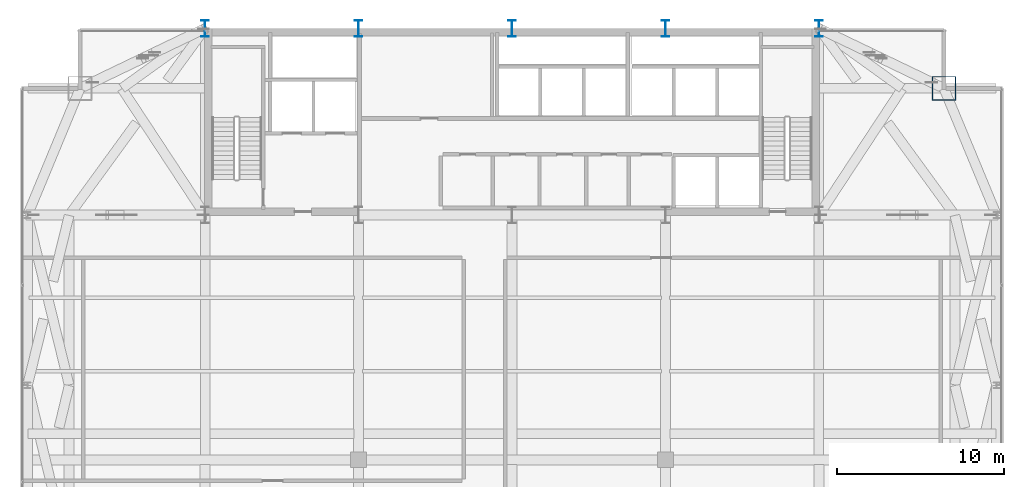
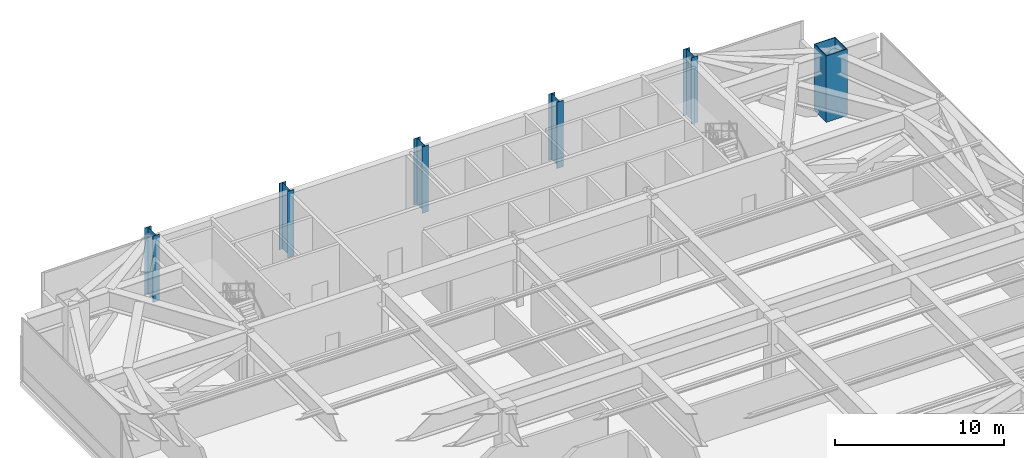
# One storey, part 3 of 32: 6 columns.
"""IFC4 building model written with IfcOpenShell, lengths in metres."""

from ifc_helpers import new_model, si_unit, direction, frame, origin, origin_2d, place, context, subcontext, project, spatial, hollow_rectangle, i_section, extrude, source, transform, mapped, material, material_profile, profile_set, type_object, type_shapes, element, save


model = new_model("IFC4")

# Units and contexts
model_context = context("Model", 3, precision=1e-05, world=origin(), true_north=direction((0.0, 1.0)))
body_context = subcontext(model_context, "Body", "Model", "MODEL_VIEW")
ifc_project = project(units=[si_unit("LENGTHUNIT", "METRE"), si_unit("AREAUNIT", "SQUARE_METRE"), si_unit("VOLUMEUNIT", "CUBIC_METRE"), si_unit("PLANEANGLEUNIT", "RADIAN"), si_unit("MASSUNIT", "GRAM", prefix="KILO")], contexts=[model_context])

# Site, building, storey
site_placement = place(None, origin())
site = spatial("IfcSite", under=ifc_project, at=site_placement, CompositionType="ELEMENT")
building_placement = place(site_placement, origin())
building = spatial("IfcBuilding", under=site, at=building_placement, Name="Varnel Quay Broadcast Tower", CompositionType="ELEMENT")
storey_placement = place(building_placement, frame((0.0, 0.0, 141.0)))
storey = spatial("IfcBuildingStorey", under=building, at=storey_placement, Name="L34", CompositionType="ELEMENT", Elevation=141.0)

# Columns
ifc_material = material(Name="Structural Steel CSA G40.21 350WT", Category="steel")
ifc_material_profile_1 = material_profile(ifc_material, i_section(OverallWidth=0.449951171875, OverallDepth=1.0, WebThickness=0.01611328125, FlangeThickness=0.030029296875, FilletRadius=0.01611328125, at=origin_2d()), Name="WWF1000X362")
ifc_profile_set_1 = profile_set([ifc_material_profile_1], Name="Structural Steel CSA G40.21 350WT")
column_type_1 = type_object("IfcColumnType", Name="Col_WWF1000X362", PredefinedType="COLUMN", material=ifc_profile_set_1)
shared_shape_1 = source(origin(), body_context, "Body", "SweptSolid", [
    extrude(i_section(OverallWidth=0.449951171875, OverallDepth=1.0, WebThickness=0.01611328125, FlangeThickness=0.030029296875, FilletRadius=0.01611328125, at=origin_2d()), origin(), (0.0, 0.0, 1.0), 4.800048828125),
])
type_shapes(column_type_1, [shared_shape_1])
for number, where, z_axis, x_axis, name in (
    (1, (15.60009765625, 46.800048828125, 0.0), (0.0, 0.0, 1.0), (1.0, 0.0, 0.0), "L34 Column CC-N1"),
    (2, (24.800048828125, 46.800048828125, 0.0), (0.0, 0.0, 1.0), (1.0, 0.0, 0.0), "L34 Column CC-N2"),
    (3, (34.0, 46.800048828125, 0.0), (0.0, 0.0, 1.0), (1.0, 0.0, 0.0), "L34 Column CC-N3"),
    (4, (43.199951171875, 46.800048828125, 0.0), (0.0, 0.0, 1.0), (1.0, 0.0, 0.0), "L34 Column CC-N4"),
    (5, (52.39990234375, 46.800048828125, 0.0), (0.0, 0.0, 1.0), (1.0, 0.0, 0.0), "L34 Column CC-N5"),
):
    element("IfcColumn", number, at=place(storey_placement, frame(where, z_axis=z_axis, x_axis=x_axis)), inside=storey, type_object=column_type_1, Name=name, PredefinedType="COLUMN", context=body_context, shape_type="MappedRepresentation", body=[
        mapped(shared_shape_1, transform((0.0, 0.0, 0.0), x_axis=(1.0, 0.0, 0.0), y_axis=(0.0, 1.0, 0.0), z_axis=(0.0, 0.0, 1.0), scale=1.0)),
    ])
ifc_material_profile_2 = material_profile(ifc_material, hollow_rectangle(XDim=1.449951171875, YDim=1.449951171875, WallThickness=0.054931640625, at=origin_2d()), Name="BOX1450X1450X55")
ifc_profile_set_2 = profile_set([ifc_material_profile_2], Name="Structural Steel CSA G40.21 350WT")
column_type_2 = type_object("IfcColumnType", Name="Col_BOX1450X1450X55", PredefinedType="COLUMN", material=ifc_profile_set_2)
shared_shape_2 = source(origin(), body_context, "Body", "SweptSolid", [
    extrude(hollow_rectangle(XDim=1.449951171875, YDim=1.449951171875, WallThickness=0.054931640625, at=origin_2d()), origin(), (0.0, 0.0, 1.0), 4.800048828125),
])
type_shapes(column_type_2, [shared_shape_2])
column_placement = place(storey_placement, frame((59.89990234375, 43.199951171875, 0.0), z_axis=(0.0, 0.0, 1.0), x_axis=(1.0, 0.0, 0.0)))
element("IfcColumn", 6, at=column_placement, inside=storey, type_object=column_type_2, Name="L34 Column MC-NE", PredefinedType="COLUMN", context=body_context, shape_type="MappedRepresentation", body=[
    mapped(shared_shape_2, transform((0.0, 0.0, 0.0), x_axis=(1.0, 0.0, 0.0), y_axis=(0.0, 1.0, 0.0), z_axis=(0.0, 0.0, 1.0), scale=1.0)),
])

save(model, "model.ifc")
